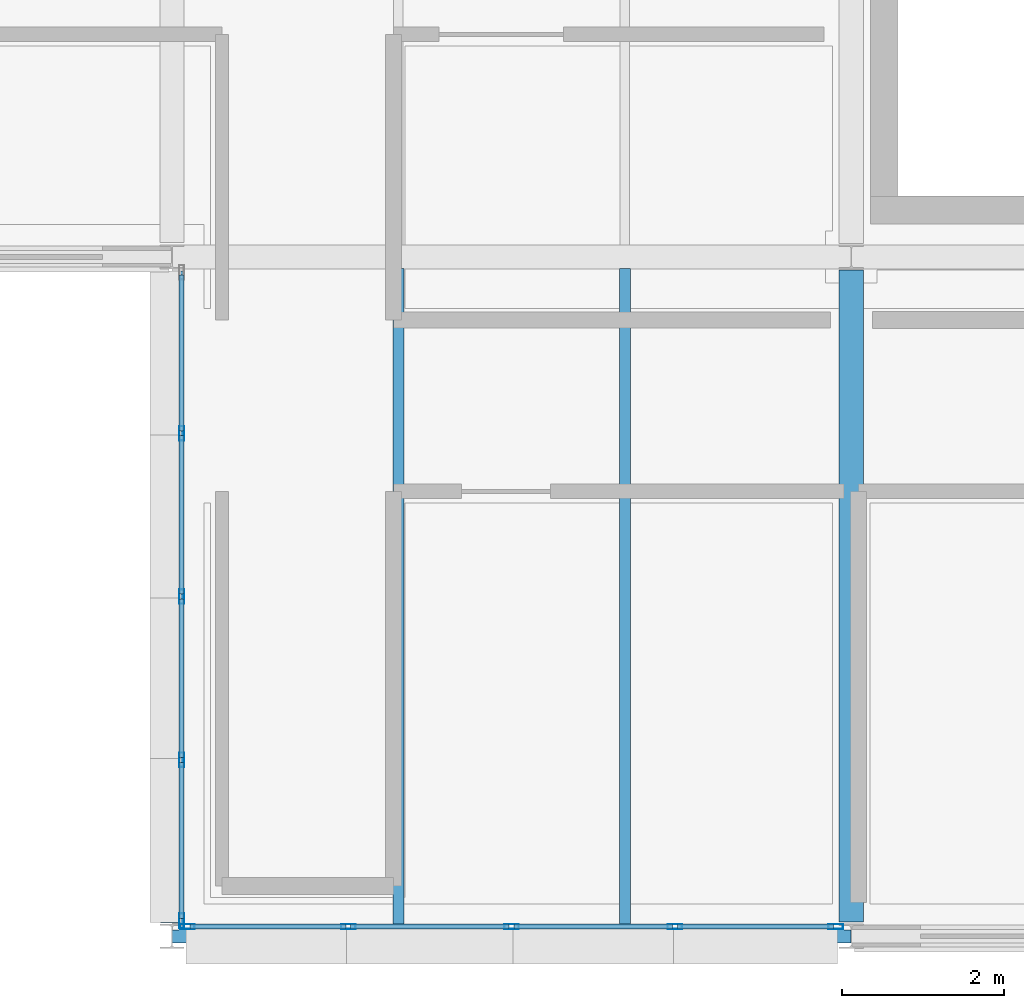
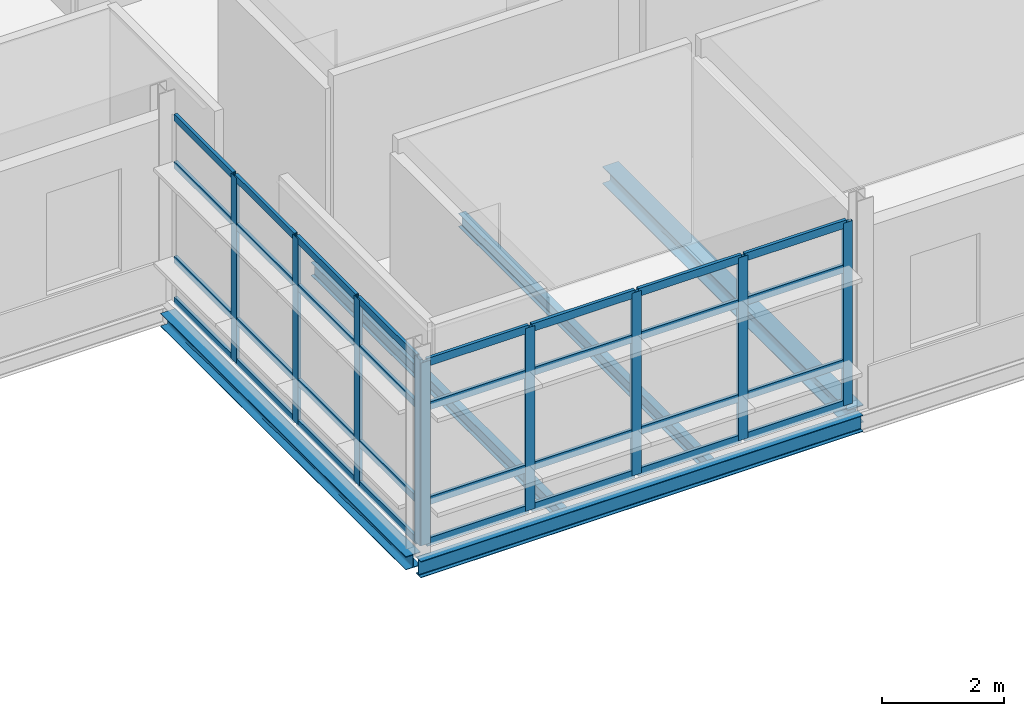
# One storey, part 16 of 35: 41 members, 5 beams, 2 elements without a shape of their own.
"""IFC4 building model written with IfcOpenShell, lengths in metres."""

import ifcopenshell
import ifcopenshell.guid

model = None  # the IFC model being written
_history = None  # IfcOwnerHistory: only IFC2X3 demands one
_inside = {}  # id of a spatial element -> (the spatial element, [elements in it])
_under = {}  # id of a project, library or spatial element -> (it, [spatial elements below it])
_declared = {}  # id of a project -> (the project, [libraries it declares])
_typed = {}  # id of a type object -> (the type object, [elements of that type])
_made_of = {}  # id of a material, layer set ... -> (it, [elements and type objects made of it])


def new_model(schema):
    """Start an empty IFC model of exactly this schema.

    Asked for "IFC4X3", IfcOpenShell would pick the latest addendum, in which some entities
    have other attributes; the version numbers below select the first issue.
    IFC2X3 requires an IfcOwnerHistory on every rooted entity: one is made here for all.
    """
    global model, _history
    if schema == "IFC4X3":
        model = ifcopenshell.file(schema_version=(4, 3, 0, 0))
    else:
        model = ifcopenshell.file(schema=schema)
    _inside.clear()
    _under.clear()
    _declared.clear()
    _typed.clear()
    _made_of.clear()
    _history = None
    if model.schema == "IFC2X3":
        org = make("IfcOrganization", Name="unknown")
        user = make(
            "IfcPersonAndOrganization",
            ThePerson=make("IfcPerson", FamilyName="unknown"),
            TheOrganization=org,
        )
        app = make(
            "IfcApplication",
            ApplicationDeveloper=org,
            Version="unknown",
            ApplicationFullName="unknown",
            ApplicationIdentifier="unknown",
        )
        _history = make(
            "IfcOwnerHistory",
            OwningUser=user,
            OwningApplication=app,
            ChangeAction="ADDED",
            CreationDate=0,
        )
    return model


def make(cls, **values):
    """One entity of the class cls with the attributes given. An attribute that is None is left unset."""
    return model.create_entity(
        cls, **{name: value for name, value in values.items() if value is not None}
    )


def rooted(cls, **values):
    """An entity with a GlobalId (a new one), such as an element, a storey or a relation."""
    return make(cls, GlobalId=ifcopenshell.guid.new(), OwnerHistory=_history, **values)


def si_unit(unit_type, name, prefix=None):
    """IfcSIUnit, for example si_unit("LENGTHUNIT", "METRE", prefix="MILLI")."""
    return make("IfcSIUnit", UnitType=unit_type, Prefix=prefix, Name=name)


def assignment(units):
    """IfcUnitAssignment: the units of a project."""
    return None if units is None else make("IfcUnitAssignment", Units=units)


def point(xyz):
    """IfcCartesianPoint."""
    return None if xyz is None else make("IfcCartesianPoint", Coordinates=xyz)


def direction(xyz):
    """IfcDirection."""
    return None if xyz is None else make("IfcDirection", DirectionRatios=xyz)


def frame(location, z_axis=None, x_axis=None):
    """IfcAxis2Placement3D, a coordinate frame: its origin and axes. An axis left out is left unset."""
    return make(
        "IfcAxis2Placement3D",
        Location=point(location),
        Axis=direction(z_axis),
        RefDirection=direction(x_axis),
    )


def frame_2d(location, x_axis=None):
    """IfcAxis2Placement2D, a coordinate frame in the plane: its origin and x axis."""
    return make(
        "IfcAxis2Placement2D", Location=point(location), RefDirection=direction(x_axis)
    )


def origin():
    """The frame at (0, 0, 0) with its axes left unset."""
    return frame((0.0, 0.0, 0.0))


def origin_2d():
    """The frame at (0, 0) in the plane with its x axis left unset."""
    return frame_2d((0.0, 0.0))


def place(relative_to, where):
    """IfcLocalPlacement: puts the frame where relative to a parent placement (None: the world)."""
    return make(
        "IfcLocalPlacement", PlacementRelTo=relative_to, RelativePlacement=where
    )


def context(
    kind, dimensions, precision=None, world=None, true_north=None, identifier=None
):
    """IfcGeometricRepresentationContext, for example the 3D "Model" context."""
    return make(
        "IfcGeometricRepresentationContext",
        ContextIdentifier=identifier,
        ContextType=kind,
        CoordinateSpaceDimension=dimensions,
        Precision=precision,
        WorldCoordinateSystem=world,
        TrueNorth=true_north,
    )


def subcontext(parent, identifier, kind, view, scale=None):
    """IfcGeometricRepresentationSubContext, for example "Body" below "Model"."""
    return make(
        "IfcGeometricRepresentationSubContext",
        ContextIdentifier=identifier,
        ContextType=kind,
        ParentContext=parent,
        TargetScale=scale,
        TargetView=view,
    )


def project(units=None, contexts=None):
    """IfcProject with its units and contexts."""
    return rooted(
        "IfcProject",
        Name="project",
        RepresentationContexts=contexts,
        UnitsInContext=assignment(units),
    )


def spatial(cls, under=None, at=None, **own):
    """A site, building, storey or space (cls), placed at a placement, below another one or the project."""
    s = rooted(cls, ObjectPlacement=at, **own)
    if under is not None:
        _under.setdefault(under.id(), (under, []))[1].append(s)
    return s


def profile(cls, at=None, kind="AREA", **sizes):
    """A parametric profile (cls). Its sizes go by their IFC names, for example OverallWidth=200.0."""
    return make(cls, ProfileType=kind, Position=at, **sizes)


def hollow_rectangle(**sizes):
    """IfcRectangleHollowProfileDef."""
    return profile("IfcRectangleHollowProfileDef", **sizes)


def i_section(**sizes):
    """IfcIShapeProfileDef."""
    return profile("IfcIShapeProfileDef", **sizes)


def extrude(swept, where, along, depth):
    """IfcExtrudedAreaSolid: the profile swept, set in the frame where, extruded along a direction by depth."""
    return make(
        "IfcExtrudedAreaSolid",
        SweptArea=swept,
        Position=where,
        ExtrudedDirection=direction(along),
        Depth=depth,
    )


def shape(context_of_items, identifier, shape_type, items):
    """IfcShapeRepresentation: the items that make up one representation, for example the "Body"."""
    return make(
        "IfcShapeRepresentation",
        ContextOfItems=context_of_items,
        RepresentationIdentifier=identifier,
        RepresentationType=shape_type,
        Items=items,
    )


def material(Name=None, Category=None):
    """IfcMaterial."""
    return make("IfcMaterial", Name=Name, Category=Category)


def material_profile(
    of_material, cross_section, Name=None, Category=None, Priority=None
):
    """IfcMaterialProfile: a cross section and its material."""
    return make(
        "IfcMaterialProfile",
        Name=Name,
        Material=of_material,
        Profile=cross_section,
        Priority=Priority,
        Category=Category,
    )


def profile_set(profiles, Name=None, composite=None):
    """IfcMaterialProfileSet."""
    return make(
        "IfcMaterialProfileSet",
        Name=Name,
        MaterialProfiles=profiles,
        CompositeProfile=composite,
    )


def made_of(thing, what):
    """Note that an element or type object is made of a material, layer set ...; save() writes the relation."""
    if what is not None:
        _made_of.setdefault(what.id(), (what, []))[1].append(thing)
    return thing


def type_object(cls, material=None, **own):
    """A type object (cls), such as IfcWallType, which elements share."""
    return made_of(rooted(cls, **own), material)


def element(
    cls,
    number,
    at=None,
    inside=None,
    cuts=None,
    type_object=None,
    material=None,
    context=None,
    identifier="Body",
    shape_type=None,
    held_by="IfcProductDefinitionShape",
    body=None,
    shapes=None,
    **own,
):
    """One element of the class cls, such as IfcWall. Its Tag is "e" and its number.

    at: its placement. inside: the storey or other place that contains it. cuts: it is an
    opening in that element (IfcRelVoidsElement). A single representation is given by context,
    identifier, shape_type and body (its items); several are given by shapes. held_by: the class
    of the entity that holds the representations. save() writes the other relations.
    """
    e = rooted(cls, Tag="e%d" % number, ObjectPlacement=at, **own)
    if body is not None:
        shapes = [shape(context, identifier, shape_type, body)]
    if shapes is not None:
        e.Representation = make(held_by, Representations=shapes)
    if inside is not None:
        _inside.setdefault(inside.id(), (inside, []))[1].append(e)
    if cuts is not None:
        rooted(
            "IfcRelVoidsElement", RelatingBuildingElement=cuts, RelatedOpeningElement=e
        )
    if type_object is not None:
        _typed.setdefault(type_object.id(), (type_object, []))[1].append(e)
    return made_of(e, material)


def aggregate(whole, parts):
    """IfcRelAggregates: a whole, such as a stair, and the parts it consists of."""
    return rooted("IfcRelAggregates", RelatingObject=whole, RelatedObjects=parts)


def save(model, path):
    """Write the relations noted so far, then the file.

    IfcRelAggregates (storeys below a building ...), IfcRelContainedInSpatialStructure (elements
    in a storey), IfcRelDefinesByType, IfcRelAssociatesMaterial and IfcRelDeclares: one each for
    every whole, place, type object, material and project.
    """
    for whole, parts in _under.values():
        aggregate(whole, parts)
    for where, things in _inside.values():
        rooted(
            "IfcRelContainedInSpatialStructure",
            RelatedElements=things,
            RelatingStructure=where,
        )
    for kind, things in _typed.values():
        rooted("IfcRelDefinesByType", RelatedObjects=things, RelatingType=kind)
    for what, things in _made_of.values():
        rooted("IfcRelAssociatesMaterial", RelatedObjects=things, RelatingMaterial=what)
    for by, libraries in _declared.values():
        rooted("IfcRelDeclares", RelatingContext=by, RelatedDefinitions=libraries)
    model.write(path)


model = new_model("IFC4")

# Units and contexts
model_context = context("Model", 3, precision=1e-05, world=origin(), true_north=direction((0.0, 1.0)))
body_context = subcontext(model_context, "Body", "Model", "MODEL_VIEW")
ifc_project = project(units=[si_unit("LENGTHUNIT", "METRE"), si_unit("AREAUNIT", "SQUARE_METRE"), si_unit("VOLUMEUNIT", "CUBIC_METRE"), si_unit("PLANEANGLEUNIT", "RADIAN"), si_unit("MASSUNIT", "GRAM", prefix="KILO")], contexts=[model_context])

# Site, building, storey
site_placement = place(None, origin())
site = spatial("IfcSite", under=ifc_project, at=site_placement, CompositionType="ELEMENT")
building_placement = place(site_placement, origin())
building = spatial("IfcBuilding", under=site, at=building_placement, Name="Mersafa Astral City Hall", CompositionType="ELEMENT")
storey_placement = place(building_placement, frame((0.0, 0.0, 30.14990234375)))
storey = spatial("IfcBuildingStorey", under=building, at=storey_placement, Name="L07", CompositionType="ELEMENT", Elevation=30.14990234375)

# Curtain wall, members
ifc_material_1 = material(Name="Anodised bronze aluminium framing", Category="aluminium")
curtain_wall_type_1 = type_object("IfcCurtainWallType", Name="ENV-CW-5", PredefinedType="USERDEFINED", material=ifc_material_1)
curtain_wall_1_placement = place(storey_placement, origin())
curtain_wall_1 = element("IfcCurtainWall", 1, at=curtain_wall_1_placement, inside=storey, type_object=curtain_wall_type_1, Name="L07 Unitised solar curtain wall 268", ObjectType="UNITISED CURTAIN WALL", PredefinedType="USERDEFINED")
ifc_material_profile_1 = material_profile(ifc_material_1, hollow_rectangle(XDim=0.06005859375, YDim=0.179931640625, WallThickness=0.00390625, at=origin_2d()), Name="RHS 60x180x4")
ifc_profile_set_1 = profile_set([ifc_material_profile_1], Name="Anodised bronze aluminium framing")
member_type_1 = type_object("IfcMemberType", Name="ENV-CW-MUL-1", PredefinedType="MULLION", material=ifc_profile_set_1)
member_1_placement = place(storey_placement, frame((142.991943359375, 100.919921875, -0.001953125), z_axis=(0.0, 0.0, 1.0), x_axis=(0.0, 1.0, 0.0)))
member_1 = element("IfcMember", 2, at=member_1_placement, type_object=member_type_1, Name="CW-5 mullion 1", PredefinedType="MULLION", context=body_context, shape_type="SweptSolid", body=[
    extrude(hollow_rectangle(XDim=0.06005859375, YDim=0.179931640625, WallThickness=0.00390625, at=origin_2d()), origin(), (0.0, 0.0, 1.0), 3.6689453125),
])
member_2_placement = place(storey_placement, frame((144.98095703125, 100.919921875, -0.001953125), z_axis=(0.0, 0.0, 1.0), x_axis=(0.0, 1.0, 0.0)))
member_2 = element("IfcMember", 3, at=member_2_placement, type_object=member_type_1, Name="CW-5 mullion 2", PredefinedType="MULLION", context=body_context, shape_type="SweptSolid", body=[
    extrude(hollow_rectangle(XDim=0.06005859375, YDim=0.179931640625, WallThickness=0.00390625, at=origin_2d()), origin(), (0.0, 0.0, 1.0), 3.6689453125),
])
member_3_placement = place(storey_placement, frame((147.0, 100.919921875, -0.001953125), z_axis=(0.0, 0.0, 1.0), x_axis=(0.0, 1.0, 0.0)))
member_3 = element("IfcMember", 4, at=member_3_placement, type_object=member_type_1, Name="CW-5 mullion 3", PredefinedType="MULLION", context=body_context, shape_type="SweptSolid", body=[
    extrude(hollow_rectangle(XDim=0.06005859375, YDim=0.179931640625, WallThickness=0.00390625, at=origin_2d()), origin(), (0.0, 0.0, 1.0), 3.6689453125),
])
member_4_placement = place(storey_placement, frame((149.01904296875, 100.919921875, -0.001953125), z_axis=(0.0, 0.0, 1.0), x_axis=(0.0, 1.0, 0.0)))
member_4 = element("IfcMember", 5, at=member_4_placement, type_object=member_type_1, Name="CW-5 mullion 4", PredefinedType="MULLION", context=body_context, shape_type="SweptSolid", body=[
    extrude(hollow_rectangle(XDim=0.06005859375, YDim=0.179931640625, WallThickness=0.00390625, at=origin_2d()), origin(), (0.0, 0.0, 1.0), 3.6689453125),
])
member_5_placement = place(storey_placement, frame((151.008056640625, 100.919921875, -0.001953125), z_axis=(0.0, 0.0, 1.0), x_axis=(0.0, 1.0, 0.0)))
member_5 = element("IfcMember", 6, at=member_5_placement, type_object=member_type_1, Name="CW-5 mullion 5", PredefinedType="MULLION", context=body_context, shape_type="SweptSolid", body=[
    extrude(hollow_rectangle(XDim=0.06005859375, YDim=0.179931640625, WallThickness=0.00390625, at=origin_2d()), origin(), (0.0, 0.0, 1.0), 3.6689453125),
])

curtain_wall_type_2 = type_object("IfcCurtainWallType", Name="ENV-CW-2", PredefinedType="USERDEFINED", material=ifc_material_1)
curtain_wall_2_placement = place(storey_placement, origin())
curtain_wall_2 = element("IfcCurtainWall", 7, at=curtain_wall_2_placement, inside=storey, type_object=curtain_wall_type_2, Name="L07 Unitised solar curtain wall 277", ObjectType="UNITISED CURTAIN WALL", PredefinedType="USERDEFINED")
member_6_placement = place(storey_placement, frame((142.919921875, 107.01904296875, -0.001953125), z_axis=(0.0, 0.0, 1.0), x_axis=(1.0, 0.0, 0.0)))
member_6 = element("IfcMember", 8, at=member_6_placement, type_object=member_type_1, Name="CW-2 mullion 2", PredefinedType="MULLION", context=body_context, shape_type="SweptSolid", body=[
    extrude(hollow_rectangle(XDim=0.06005859375, YDim=0.179931640625, WallThickness=0.00390625, at=origin_2d()), origin(), (0.0, 0.0, 1.0), 3.72900390625),
])
member_7_placement = place(storey_placement, frame((142.919921875, 105.0, -0.001953125), z_axis=(0.0, 0.0, 1.0), x_axis=(1.0, 0.0, 0.0)))
member_7 = element("IfcMember", 9, at=member_7_placement, type_object=member_type_1, Name="CW-2 mullion 3", PredefinedType="MULLION", context=body_context, shape_type="SweptSolid", body=[
    extrude(hollow_rectangle(XDim=0.06005859375, YDim=0.179931640625, WallThickness=0.00390625, at=origin_2d()), origin(), (0.0, 0.0, 1.0), 3.72900390625),
])
member_8_placement = place(storey_placement, frame((142.919921875, 102.98095703125, -0.001953125), z_axis=(0.0, 0.0, 1.0), x_axis=(1.0, 0.0, 0.0)))
member_8 = element("IfcMember", 10, at=member_8_placement, type_object=member_type_1, Name="CW-2 mullion 4", PredefinedType="MULLION", context=body_context, shape_type="SweptSolid", body=[
    extrude(hollow_rectangle(XDim=0.06005859375, YDim=0.179931640625, WallThickness=0.00390625, at=origin_2d()), origin(), (0.0, 0.0, 1.0), 3.72900390625),
])
member_9_placement = place(storey_placement, frame((142.919921875, 100.991943359375, -0.001953125), z_axis=(0.0, 0.0, 1.0), x_axis=(1.0, 0.0, 0.0)))
member_9 = element("IfcMember", 11, at=member_9_placement, type_object=member_type_1, Name="CW-2 mullion 5", PredefinedType="MULLION", context=body_context, shape_type="SweptSolid", body=[
    extrude(hollow_rectangle(XDim=0.06005859375, YDim=0.179931640625, WallThickness=0.00390625, at=origin_2d()), origin(), (0.0, 0.0, 1.0), 3.72900390625),
])
ifc_material_profile_2 = material_profile(ifc_material_1, hollow_rectangle(XDim=0.06005859375, YDim=0.139892578125, WallThickness=0.00390625, at=origin_2d()), Name="RHS 60x140x4")
ifc_profile_set_2 = profile_set([ifc_material_profile_2], Name="Anodised bronze aluminium framing")
member_type_2 = type_object("IfcMemberType", Name="ENV-CW-TRN-1", PredefinedType="USERDEFINED", material=ifc_profile_set_2)
member_10_placement = place(storey_placement, frame((142.919921875, 108.97802734375, 0.028076171875), z_axis=(0.0, -1.0, 0.0), x_axis=(1.0, 0.0, 0.0)))
member_10 = element("IfcMember", 12, at=member_10_placement, type_object=member_type_2, Name="CW-2 transom 1.1", ObjectType="TRANSOM", PredefinedType="USERDEFINED", context=body_context, shape_type="SweptSolid", body=[
    extrude(hollow_rectangle(XDim=0.06005859375, YDim=0.139892578125, WallThickness=0.00390625, at=origin_2d()), origin(), (0.0, 0.0, 1.0), 1.928955078125),
])
member_11_placement = place(storey_placement, frame((142.919921875, 108.97802734375, 0.85009765625), z_axis=(0.0, -1.0, 0.0), x_axis=(1.0, 0.0, 0.0)))
member_11 = element("IfcMember", 13, at=member_11_placement, type_object=member_type_2, Name="CW-2 transom 1.2", ObjectType="TRANSOM", PredefinedType="USERDEFINED", context=body_context, shape_type="SweptSolid", body=[
    extrude(hollow_rectangle(XDim=0.06005859375, YDim=0.139892578125, WallThickness=0.00390625, at=origin_2d()), origin(), (0.0, 0.0, 1.0), 1.928955078125),
])
member_12_placement = place(storey_placement, frame((142.919921875, 108.97802734375, 2.75), z_axis=(0.0, -1.0, 0.0), x_axis=(1.0, 0.0, 0.0)))
member_12 = element("IfcMember", 14, at=member_12_placement, type_object=member_type_2, Name="CW-2 transom 1.3", ObjectType="TRANSOM", PredefinedType="USERDEFINED", context=body_context, shape_type="SweptSolid", body=[
    extrude(hollow_rectangle(XDim=0.06005859375, YDim=0.139892578125, WallThickness=0.00390625, at=origin_2d()), origin(), (0.0, 0.0, 1.0), 1.928955078125),
])
member_13_placement = place(storey_placement, frame((142.919921875, 108.97802734375, 3.697021484375), z_axis=(0.0, -1.0, 0.0), x_axis=(1.0, 0.0, 0.0)))
member_13 = element("IfcMember", 15, at=member_13_placement, type_object=member_type_2, Name="CW-2 transom 1.4", ObjectType="TRANSOM", PredefinedType="USERDEFINED", context=body_context, shape_type="SweptSolid", body=[
    extrude(hollow_rectangle(XDim=0.06005859375, YDim=0.139892578125, WallThickness=0.00390625, at=origin_2d()), origin(), (0.0, 0.0, 1.0), 1.928955078125),
])
member_14_placement = place(storey_placement, frame((142.919921875, 106.989013671875, 0.028076171875), z_axis=(0.0, -1.0, 0.0), x_axis=(1.0, 0.0, 0.0)))
member_14 = element("IfcMember", 16, at=member_14_placement, type_object=member_type_2, Name="CW-2 transom 2.1", ObjectType="TRANSOM", PredefinedType="USERDEFINED", context=body_context, shape_type="SweptSolid", body=[
    extrude(hollow_rectangle(XDim=0.06005859375, YDim=0.139892578125, WallThickness=0.00390625, at=origin_2d()), origin(), (0.0, 0.0, 1.0), 1.958984375),
])
member_15_placement = place(storey_placement, frame((142.919921875, 106.989013671875, 0.85009765625), z_axis=(0.0, -1.0, 0.0), x_axis=(1.0, 0.0, 0.0)))
member_15 = element("IfcMember", 17, at=member_15_placement, type_object=member_type_2, Name="CW-2 transom 2.2", ObjectType="TRANSOM", PredefinedType="USERDEFINED", context=body_context, shape_type="SweptSolid", body=[
    extrude(hollow_rectangle(XDim=0.06005859375, YDim=0.139892578125, WallThickness=0.00390625, at=origin_2d()), origin(), (0.0, 0.0, 1.0), 1.958984375),
])
member_16_placement = place(storey_placement, frame((142.919921875, 106.989013671875, 2.75), z_axis=(0.0, -1.0, 0.0), x_axis=(1.0, 0.0, 0.0)))
member_16 = element("IfcMember", 18, at=member_16_placement, type_object=member_type_2, Name="CW-2 transom 2.3", ObjectType="TRANSOM", PredefinedType="USERDEFINED", context=body_context, shape_type="SweptSolid", body=[
    extrude(hollow_rectangle(XDim=0.06005859375, YDim=0.139892578125, WallThickness=0.00390625, at=origin_2d()), origin(), (0.0, 0.0, 1.0), 1.958984375),
])
member_17_placement = place(storey_placement, frame((142.919921875, 106.989013671875, 3.697021484375), z_axis=(0.0, -1.0, 0.0), x_axis=(1.0, 0.0, 0.0)))
member_17 = element("IfcMember", 19, at=member_17_placement, type_object=member_type_2, Name="CW-2 transom 2.4", ObjectType="TRANSOM", PredefinedType="USERDEFINED", context=body_context, shape_type="SweptSolid", body=[
    extrude(hollow_rectangle(XDim=0.06005859375, YDim=0.139892578125, WallThickness=0.00390625, at=origin_2d()), origin(), (0.0, 0.0, 1.0), 1.958984375),
])
member_18_placement = place(storey_placement, frame((142.919921875, 104.969970703125, 0.028076171875), z_axis=(0.0, -1.0, 0.0), x_axis=(1.0, 0.0, 0.0)))
member_18 = element("IfcMember", 20, at=member_18_placement, type_object=member_type_2, Name="CW-2 transom 3.1", ObjectType="TRANSOM", PredefinedType="USERDEFINED", context=body_context, shape_type="SweptSolid", body=[
    extrude(hollow_rectangle(XDim=0.06005859375, YDim=0.139892578125, WallThickness=0.00390625, at=origin_2d()), origin(), (0.0, 0.0, 1.0), 1.958984375),
])
member_19_placement = place(storey_placement, frame((142.919921875, 104.969970703125, 0.85009765625), z_axis=(0.0, -1.0, 0.0), x_axis=(1.0, 0.0, 0.0)))
member_19 = element("IfcMember", 21, at=member_19_placement, type_object=member_type_2, Name="CW-2 transom 3.2", ObjectType="TRANSOM", PredefinedType="USERDEFINED", context=body_context, shape_type="SweptSolid", body=[
    extrude(hollow_rectangle(XDim=0.06005859375, YDim=0.139892578125, WallThickness=0.00390625, at=origin_2d()), origin(), (0.0, 0.0, 1.0), 1.958984375),
])
member_20_placement = place(storey_placement, frame((142.919921875, 104.969970703125, 2.75), z_axis=(0.0, -1.0, 0.0), x_axis=(1.0, 0.0, 0.0)))
member_20 = element("IfcMember", 22, at=member_20_placement, type_object=member_type_2, Name="CW-2 transom 3.3", ObjectType="TRANSOM", PredefinedType="USERDEFINED", context=body_context, shape_type="SweptSolid", body=[
    extrude(hollow_rectangle(XDim=0.06005859375, YDim=0.139892578125, WallThickness=0.00390625, at=origin_2d()), origin(), (0.0, 0.0, 1.0), 1.958984375),
])
member_21_placement = place(storey_placement, frame((142.919921875, 104.969970703125, 3.697021484375), z_axis=(0.0, -1.0, 0.0), x_axis=(1.0, 0.0, 0.0)))
member_21 = element("IfcMember", 23, at=member_21_placement, type_object=member_type_2, Name="CW-2 transom 3.4", ObjectType="TRANSOM", PredefinedType="USERDEFINED", context=body_context, shape_type="SweptSolid", body=[
    extrude(hollow_rectangle(XDim=0.06005859375, YDim=0.139892578125, WallThickness=0.00390625, at=origin_2d()), origin(), (0.0, 0.0, 1.0), 1.958984375),
])
member_22_placement = place(storey_placement, frame((142.919921875, 102.950927734375, 0.028076171875), z_axis=(0.0, -1.0, 0.0), x_axis=(1.0, 0.0, 0.0)))
member_22 = element("IfcMember", 24, at=member_22_placement, type_object=member_type_2, Name="CW-2 transom 4.1", ObjectType="TRANSOM", PredefinedType="USERDEFINED", context=body_context, shape_type="SweptSolid", body=[
    extrude(hollow_rectangle(XDim=0.06005859375, YDim=0.139892578125, WallThickness=0.00390625, at=origin_2d()), origin(), (0.0, 0.0, 1.0), 1.928955078125),
])
member_23_placement = place(storey_placement, frame((142.919921875, 102.950927734375, 0.85009765625), z_axis=(0.0, -1.0, 0.0), x_axis=(1.0, 0.0, 0.0)))
member_23 = element("IfcMember", 25, at=member_23_placement, type_object=member_type_2, Name="CW-2 transom 4.2", ObjectType="TRANSOM", PredefinedType="USERDEFINED", context=body_context, shape_type="SweptSolid", body=[
    extrude(hollow_rectangle(XDim=0.06005859375, YDim=0.139892578125, WallThickness=0.00390625, at=origin_2d()), origin(), (0.0, 0.0, 1.0), 1.928955078125),
])
member_24_placement = place(storey_placement, frame((142.919921875, 102.950927734375, 2.75), z_axis=(0.0, -1.0, 0.0), x_axis=(1.0, 0.0, 0.0)))
member_24 = element("IfcMember", 26, at=member_24_placement, type_object=member_type_2, Name="CW-2 transom 4.3", ObjectType="TRANSOM", PredefinedType="USERDEFINED", context=body_context, shape_type="SweptSolid", body=[
    extrude(hollow_rectangle(XDim=0.06005859375, YDim=0.139892578125, WallThickness=0.00390625, at=origin_2d()), origin(), (0.0, 0.0, 1.0), 1.928955078125),
])
member_25_placement = place(storey_placement, frame((142.919921875, 102.950927734375, 3.697021484375), z_axis=(0.0, -1.0, 0.0), x_axis=(1.0, 0.0, 0.0)))
member_25 = element("IfcMember", 27, at=member_25_placement, type_object=member_type_2, Name="CW-2 transom 4.4", ObjectType="TRANSOM", PredefinedType="USERDEFINED", context=body_context, shape_type="SweptSolid", body=[
    extrude(hollow_rectangle(XDim=0.06005859375, YDim=0.139892578125, WallThickness=0.00390625, at=origin_2d()), origin(), (0.0, 0.0, 1.0), 1.928955078125),
])
aggregate(curtain_wall_2, [member_6, member_7, member_8, member_9, member_10, member_11, member_12, member_13, member_14, member_15, member_16, member_17, member_18, member_19, member_20, member_21, member_22, member_23, member_24, member_25])

# Member
ifc_material_profile_3 = material_profile(ifc_material_1, hollow_rectangle(XDim=0.06005859375, YDim=0.159912109375, WallThickness=0.00390625, at=origin_2d()), Name="RHS 60x160x4")
ifc_profile_set_3 = profile_set([ifc_material_profile_3], Name="Anodised bronze aluminium framing")
member_type_3 = type_object("IfcMemberType", Name="ENV-CW-TRN-2", PredefinedType="USERDEFINED", material=ifc_profile_set_3)
member_26_placement = place(storey_placement, frame((143.02197265625, 100.919921875, 0.028076171875), z_axis=(1.0, 0.0, 0.0), x_axis=(0.0, 1.0, 0.0)))
member_26 = element("IfcMember", 28, at=member_26_placement, type_object=member_type_3, Name="CW-5 transom 1.1", ObjectType="TRANSOM", PredefinedType="USERDEFINED", context=body_context, shape_type="SweptSolid", body=[
    extrude(hollow_rectangle(XDim=0.06005859375, YDim=0.159912109375, WallThickness=0.00390625, at=origin_2d()), origin(), (0.0, 0.0, 1.0), 1.928955078125),
])

member_27_placement = place(storey_placement, frame((143.02197265625, 100.919921875, 0.85009765625), z_axis=(1.0, 0.0, 0.0), x_axis=(0.0, 1.0, 0.0)))
member_27 = element("IfcMember", 29, at=member_27_placement, type_object=member_type_3, Name="CW-5 transom 1.2", ObjectType="TRANSOM", PredefinedType="USERDEFINED", context=body_context, shape_type="SweptSolid", body=[
    extrude(hollow_rectangle(XDim=0.06005859375, YDim=0.159912109375, WallThickness=0.00390625, at=origin_2d()), origin(), (0.0, 0.0, 1.0), 1.928955078125),
])

member_28_placement = place(storey_placement, frame((143.02197265625, 100.919921875, 2.75), z_axis=(1.0, 0.0, 0.0), x_axis=(0.0, 1.0, 0.0)))
member_28 = element("IfcMember", 30, at=member_28_placement, type_object=member_type_3, Name="CW-5 transom 1.3", ObjectType="TRANSOM", PredefinedType="USERDEFINED", context=body_context, shape_type="SweptSolid", body=[
    extrude(hollow_rectangle(XDim=0.06005859375, YDim=0.159912109375, WallThickness=0.00390625, at=origin_2d()), origin(), (0.0, 0.0, 1.0), 1.928955078125),
])

member_29_placement = place(storey_placement, frame((143.02197265625, 100.919921875, 3.63720703125), z_axis=(1.0, 0.0, 0.0), x_axis=(0.0, 1.0, 0.0)))
member_29 = element("IfcMember", 31, at=member_29_placement, type_object=member_type_3, Name="CW-5 transom 1.4", ObjectType="TRANSOM", PredefinedType="USERDEFINED", context=body_context, shape_type="SweptSolid", body=[
    extrude(hollow_rectangle(XDim=0.06005859375, YDim=0.159912109375, WallThickness=0.00390625, at=origin_2d()), origin(), (0.0, 0.0, 1.0), 1.928955078125),
])

member_30_placement = place(storey_placement, frame((145.010986328125, 100.919921875, 0.028076171875), z_axis=(1.0, 0.0, 0.0), x_axis=(0.0, 1.0, 0.0)))
member_30 = element("IfcMember", 32, at=member_30_placement, type_object=member_type_3, Name="CW-5 transom 2.1", ObjectType="TRANSOM", PredefinedType="USERDEFINED", context=body_context, shape_type="SweptSolid", body=[
    extrude(hollow_rectangle(XDim=0.06005859375, YDim=0.159912109375, WallThickness=0.00390625, at=origin_2d()), origin(), (0.0, 0.0, 1.0), 1.958984375),
])

member_31_placement = place(storey_placement, frame((145.010986328125, 100.919921875, 0.85009765625), z_axis=(1.0, 0.0, 0.0), x_axis=(0.0, 1.0, 0.0)))
member_31 = element("IfcMember", 33, at=member_31_placement, type_object=member_type_3, Name="CW-5 transom 2.2", ObjectType="TRANSOM", PredefinedType="USERDEFINED", context=body_context, shape_type="SweptSolid", body=[
    extrude(hollow_rectangle(XDim=0.06005859375, YDim=0.159912109375, WallThickness=0.00390625, at=origin_2d()), origin(), (0.0, 0.0, 1.0), 1.958984375),
])

member_32_placement = place(storey_placement, frame((145.010986328125, 100.919921875, 2.75), z_axis=(1.0, 0.0, 0.0), x_axis=(0.0, 1.0, 0.0)))
member_32 = element("IfcMember", 34, at=member_32_placement, type_object=member_type_3, Name="CW-5 transom 2.3", ObjectType="TRANSOM", PredefinedType="USERDEFINED", context=body_context, shape_type="SweptSolid", body=[
    extrude(hollow_rectangle(XDim=0.06005859375, YDim=0.159912109375, WallThickness=0.00390625, at=origin_2d()), origin(), (0.0, 0.0, 1.0), 1.958984375),
])

member_33_placement = place(storey_placement, frame((145.010986328125, 100.919921875, 3.63720703125), z_axis=(1.0, 0.0, 0.0), x_axis=(0.0, 1.0, 0.0)))
member_33 = element("IfcMember", 35, at=member_33_placement, type_object=member_type_3, Name="CW-5 transom 2.4", ObjectType="TRANSOM", PredefinedType="USERDEFINED", context=body_context, shape_type="SweptSolid", body=[
    extrude(hollow_rectangle(XDim=0.06005859375, YDim=0.159912109375, WallThickness=0.00390625, at=origin_2d()), origin(), (0.0, 0.0, 1.0), 1.958984375),
])

member_34_placement = place(storey_placement, frame((147.030029296875, 100.919921875, 0.028076171875), z_axis=(1.0, 0.0, 0.0), x_axis=(0.0, 1.0, 0.0)))
member_34 = element("IfcMember", 36, at=member_34_placement, type_object=member_type_3, Name="CW-5 transom 3.1", ObjectType="TRANSOM", PredefinedType="USERDEFINED", context=body_context, shape_type="SweptSolid", body=[
    extrude(hollow_rectangle(XDim=0.06005859375, YDim=0.159912109375, WallThickness=0.00390625, at=origin_2d()), origin(), (0.0, 0.0, 1.0), 1.958984375),
])

member_35_placement = place(storey_placement, frame((147.030029296875, 100.919921875, 0.85009765625), z_axis=(1.0, 0.0, 0.0), x_axis=(0.0, 1.0, 0.0)))
member_35 = element("IfcMember", 37, at=member_35_placement, type_object=member_type_3, Name="CW-5 transom 3.2", ObjectType="TRANSOM", PredefinedType="USERDEFINED", context=body_context, shape_type="SweptSolid", body=[
    extrude(hollow_rectangle(XDim=0.06005859375, YDim=0.159912109375, WallThickness=0.00390625, at=origin_2d()), origin(), (0.0, 0.0, 1.0), 1.958984375),
])

member_36_placement = place(storey_placement, frame((147.030029296875, 100.919921875, 2.75), z_axis=(1.0, 0.0, 0.0), x_axis=(0.0, 1.0, 0.0)))
member_36 = element("IfcMember", 38, at=member_36_placement, type_object=member_type_3, Name="CW-5 transom 3.3", ObjectType="TRANSOM", PredefinedType="USERDEFINED", context=body_context, shape_type="SweptSolid", body=[
    extrude(hollow_rectangle(XDim=0.06005859375, YDim=0.159912109375, WallThickness=0.00390625, at=origin_2d()), origin(), (0.0, 0.0, 1.0), 1.958984375),
])

member_37_placement = place(storey_placement, frame((147.030029296875, 100.919921875, 3.63720703125), z_axis=(1.0, 0.0, 0.0), x_axis=(0.0, 1.0, 0.0)))
member_37 = element("IfcMember", 39, at=member_37_placement, type_object=member_type_3, Name="CW-5 transom 3.4", ObjectType="TRANSOM", PredefinedType="USERDEFINED", context=body_context, shape_type="SweptSolid", body=[
    extrude(hollow_rectangle(XDim=0.06005859375, YDim=0.159912109375, WallThickness=0.00390625, at=origin_2d()), origin(), (0.0, 0.0, 1.0), 1.958984375),
])

member_38_placement = place(storey_placement, frame((149.049072265625, 100.919921875, 0.028076171875), z_axis=(1.0, 0.0, 0.0), x_axis=(0.0, 1.0, 0.0)))
member_38 = element("IfcMember", 40, at=member_38_placement, type_object=member_type_3, Name="CW-5 transom 4.1", ObjectType="TRANSOM", PredefinedType="USERDEFINED", context=body_context, shape_type="SweptSolid", body=[
    extrude(hollow_rectangle(XDim=0.06005859375, YDim=0.159912109375, WallThickness=0.00390625, at=origin_2d()), origin(), (0.0, 0.0, 1.0), 1.928955078125),
])

member_39_placement = place(storey_placement, frame((149.049072265625, 100.919921875, 0.85009765625), z_axis=(1.0, 0.0, 0.0), x_axis=(0.0, 1.0, 0.0)))
member_39 = element("IfcMember", 41, at=member_39_placement, type_object=member_type_3, Name="CW-5 transom 4.2", ObjectType="TRANSOM", PredefinedType="USERDEFINED", context=body_context, shape_type="SweptSolid", body=[
    extrude(hollow_rectangle(XDim=0.06005859375, YDim=0.159912109375, WallThickness=0.00390625, at=origin_2d()), origin(), (0.0, 0.0, 1.0), 1.928955078125),
])

member_40_placement = place(storey_placement, frame((149.049072265625, 100.919921875, 2.75), z_axis=(1.0, 0.0, 0.0), x_axis=(0.0, 1.0, 0.0)))
member_40 = element("IfcMember", 42, at=member_40_placement, type_object=member_type_3, Name="CW-5 transom 4.3", ObjectType="TRANSOM", PredefinedType="USERDEFINED", context=body_context, shape_type="SweptSolid", body=[
    extrude(hollow_rectangle(XDim=0.06005859375, YDim=0.159912109375, WallThickness=0.00390625, at=origin_2d()), origin(), (0.0, 0.0, 1.0), 1.928955078125),
])

member_41_placement = place(storey_placement, frame((149.049072265625, 100.919921875, 3.63720703125), z_axis=(1.0, 0.0, 0.0), x_axis=(0.0, 1.0, 0.0)))
member_41 = element("IfcMember", 43, at=member_41_placement, type_object=member_type_3, Name="CW-5 transom 4.4", ObjectType="TRANSOM", PredefinedType="USERDEFINED", context=body_context, shape_type="SweptSolid", body=[
    extrude(hollow_rectangle(XDim=0.06005859375, YDim=0.159912109375, WallThickness=0.00390625, at=origin_2d()), origin(), (0.0, 0.0, 1.0), 1.928955078125),
])

aggregate(curtain_wall_1, [member_1, member_2, member_3, member_4, member_5, member_26, member_27, member_28, member_29, member_30, member_31, member_32, member_33, member_34, member_35, member_36, member_37, member_38, member_39, member_40, member_41])

# Beams
ifc_material_2 = material(Name="Steel S355", Category="steel")
ifc_material_profile_4 = material_profile(ifc_material_2, i_section(OverallWidth=0.300048828125, OverallDepth=0.35009765625, WebThickness=0.010009765625, FlangeThickness=0.017578125, FilletRadius=0.027099609375, at=origin_2d()), Name="HEA 360")
ifc_profile_set_4 = profile_set([ifc_material_profile_4], Name="Steel S355")
beam_type_1 = type_object("IfcBeamType", Name="STR-BM-HEA360", PredefinedType="BEAM", material=ifc_profile_set_4)
beam_1_placement = place(storey_placement, frame((151.199951171875, 100.97509765625, -0.349853515625), z_axis=(0.0, 1.0, 0.0), x_axis=(-1.0, 0.0, 0.0)))
element("IfcBeam", 44, at=beam_1_placement, inside=storey, type_object=beam_type_1, Name="L07 Primary girder Y 18-12", PredefinedType="BEAM", context=body_context, shape_type="SweptSolid", body=[
    extrude(i_section(OverallWidth=0.300048828125, OverallDepth=0.35009765625, WebThickness=0.010009765625, FlangeThickness=0.017578125, FilletRadius=0.027099609375, at=origin_2d()), origin(), (0.0, 0.0, 1.0), 8.059814453125),
])
ifc_material_profile_5 = material_profile(ifc_material_2, i_section(OverallWidth=0.135009765625, OverallDepth=0.27001953125, WebThickness=0.006591796875, FlangeThickness=0.01025390625, FilletRadius=0.014892578125, at=origin_2d()), Name="IPE 270")
ifc_profile_set_5 = profile_set([ifc_material_profile_5], Name="Steel S355")
beam_type_2 = type_object("IfcBeamType", Name="STR-BM-JOIST-IPE270", PredefinedType="JOIST", material=ifc_profile_set_5)
for number, where, z_axis, x_axis, name in (
    (45, (145.60009765625, 100.875, -0.309814453125), (0.0, 1.0, 0.0), (-1.0, 0.0, 0.0), "L07 Composite secondary floor joist 904"),
    (46, (148.39990234375, 100.875, -0.309814453125), (0.0, 1.0, 0.0), (-1.0, 0.0, 0.0), "L07 Composite secondary floor joist 905"),
):
    element("IfcBeam", number, at=place(storey_placement, frame(where, z_axis=z_axis, x_axis=x_axis)), inside=storey, type_object=beam_type_2, Name=name, PredefinedType="JOIST", context=body_context, shape_type="SweptSolid", body=[
        extrude(i_section(OverallWidth=0.135009765625, OverallDepth=0.27001953125, WebThickness=0.006591796875, FlangeThickness=0.01025390625, FilletRadius=0.014892578125, at=origin_2d()), origin(), (0.0, 0.0, 1.0), 8.179931640625),
    ])
ifc_material_profile_6 = material_profile(ifc_material_2, i_section(OverallWidth=0.280029296875, OverallDepth=0.27001953125, WebThickness=0.008056640625, FlangeThickness=0.012939453125, FilletRadius=0.02392578125, at=origin_2d()), Name="HEA 280")
ifc_profile_set_6 = profile_set([ifc_material_profile_6], Name="Steel S355")
beam_type_3 = type_object("IfcBeamType", Name="STR-BM-SPANDREL-HEA280", PredefinedType="SPANDREL", material=ifc_profile_set_6)
beam_2_placement = place(storey_placement, frame((142.800048828125, 100.965087890625, -0.309814453125), z_axis=(0.0, 1.0, 0.0), x_axis=(-1.0, 0.0, 0.0)))
element("IfcBeam", 47, at=beam_2_placement, inside=storey, type_object=beam_type_3, Name="L07 Primary girder Y 17-12", PredefinedType="SPANDREL", context=body_context, shape_type="SweptSolid", body=[
    extrude(i_section(OverallWidth=0.280029296875, OverallDepth=0.27001953125, WebThickness=0.008056640625, FlangeThickness=0.012939453125, FilletRadius=0.02392578125, at=origin_2d()), origin(), (0.0, 0.0, 1.0), 8.059814453125),
])
ifc_material_profile_7 = material_profile(ifc_material_2, i_section(OverallWidth=0.159912109375, OverallDepth=0.330078125, WebThickness=0.007568359375, FlangeThickness=0.011474609375, FilletRadius=0.01806640625, at=origin_2d()), Name="IPE 330")
ifc_profile_set_7 = profile_set([ifc_material_profile_7], Name="Steel S355")
beam_type_4 = type_object("IfcBeamType", Name="STR-BM-SPANDREL-IPE330", PredefinedType="SPANDREL", material=ifc_profile_set_7)
beam_3_placement = place(storey_placement, frame((142.802978515625, 100.800048828125, -0.33984375), z_axis=(1.0, 0.0, 0.0), x_axis=(0.0, 1.0, 0.0)))
element("IfcBeam", 48, at=beam_3_placement, inside=storey, type_object=beam_type_4, Name="L07 Primary girder X 17-12", PredefinedType="SPANDREL", context=body_context, shape_type="SweptSolid", body=[
    extrude(i_section(OverallWidth=0.159912109375, OverallDepth=0.330078125, WebThickness=0.007568359375, FlangeThickness=0.011474609375, FilletRadius=0.01806640625, at=origin_2d()), origin(), (0.0, 0.0, 1.0), 8.39404296875),
])

save(model, "model.ifc")
